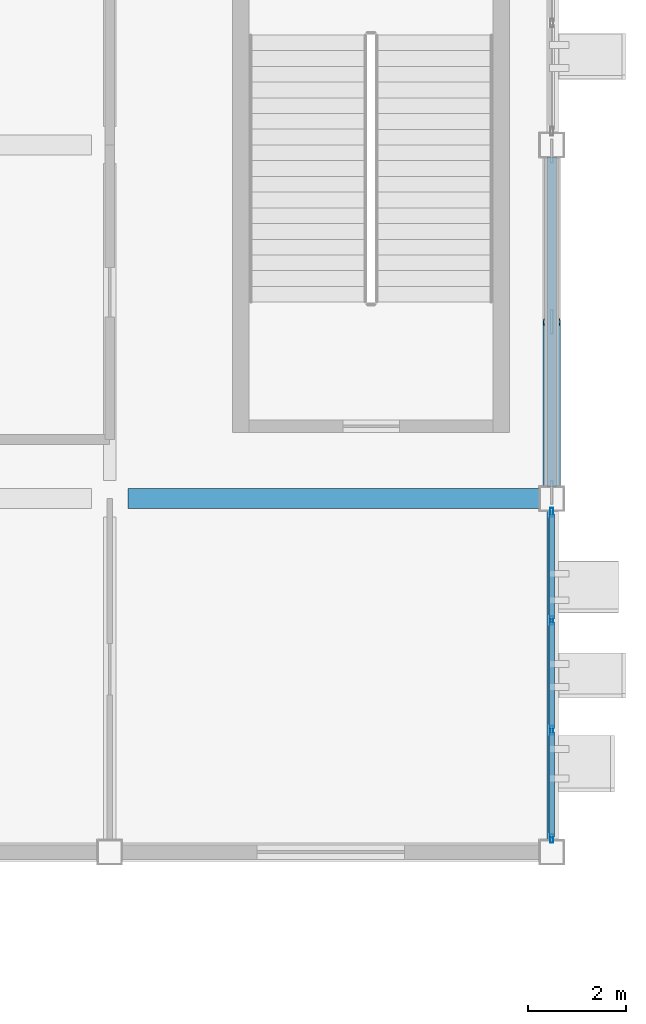
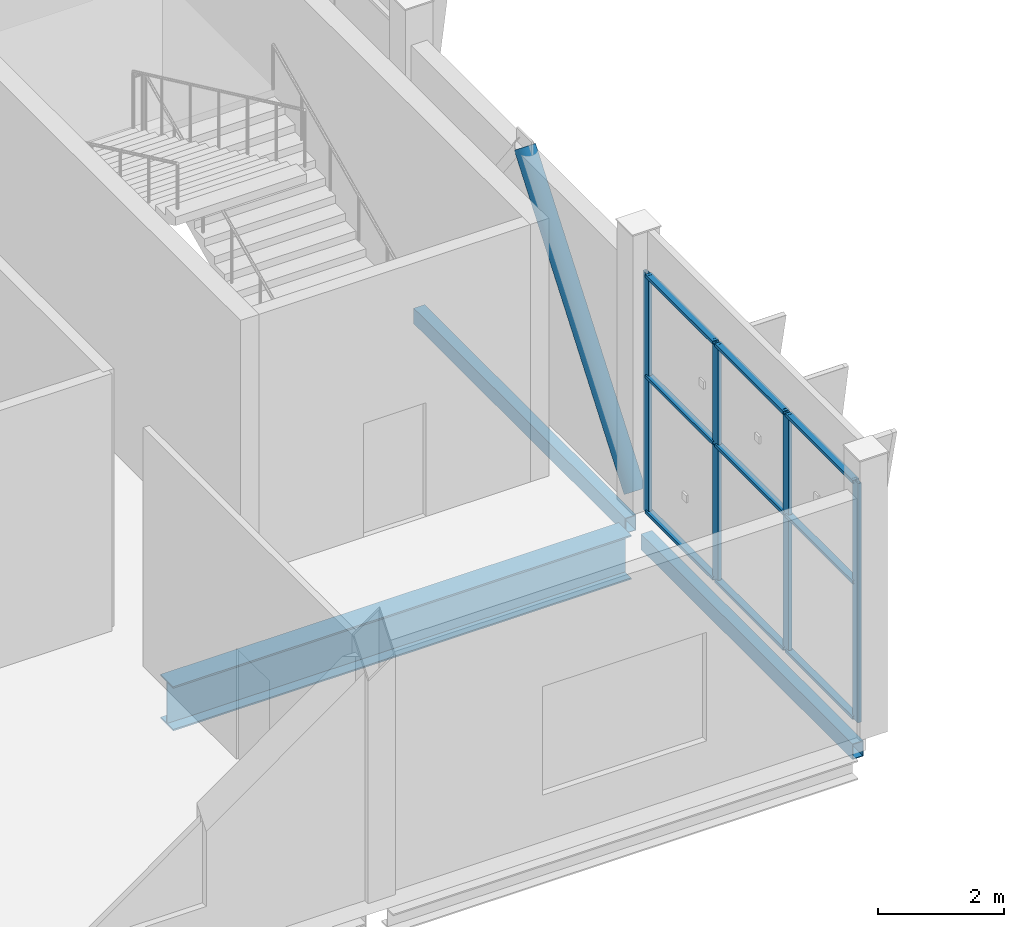
# One storey, part 83 of 189: 14 members, 3 beams, 1 element without a shape of its own.
"""IFC4 building model written with IfcOpenShell, lengths in metres."""

from ifc_helpers import new_model, si_unit, direction, frame, origin, origin_2d, place, context, subcontext, project, spatial, hollow_rectangle, hollow_circle, i_section, extrude, material, layer, layer_set, material_profile, profile_set, type_object, element, aggregate, save


model = new_model("IFC4")

# Units and contexts
model_context = context("Model", 3, precision=1e-05, world=origin(), true_north=direction((0.0, 1.0)))
body_context = subcontext(model_context, "Body", "Model", "MODEL_VIEW")
ifc_project = project(units=[si_unit("LENGTHUNIT", "METRE"), si_unit("AREAUNIT", "SQUARE_METRE"), si_unit("VOLUMEUNIT", "CUBIC_METRE"), si_unit("PLANEANGLEUNIT", "RADIAN"), si_unit("MASSUNIT", "GRAM", prefix="KILO")], contexts=[model_context])

# Site, building, storey
site_placement = place(None, origin())
site = spatial("IfcSite", under=ifc_project, at=site_placement, CompositionType="ELEMENT")
building_placement = place(site_placement, origin())
building = spatial("IfcBuilding", under=site, at=building_placement, Name="Celestram Park Convention Centre", CompositionType="ELEMENT")
storey_placement = place(building_placement, frame((0.0, 0.0, 5.39990234375)))
storey = spatial("IfcBuildingStorey", under=building, at=storey_placement, Name="L01", CompositionType="ELEMENT", Elevation=5.39990234375)

# Curtain wall, members
ifc_material_1 = material(Name="Anodised Aluminium Alloy 6063-T6", Category="aluminium")
ifc_layer = layer(ifc_material_1, 0.179931640625)
ifc_layer_set = layer_set([ifc_layer], Name="Anodised Aluminium Alloy 6063-T6")
curtain_wall_type = type_object("IfcCurtainWallType", Name="ARC-CW-670X462", PredefinedType="NOTDEFINED", material=ifc_layer_set)
curtain_wall_placement = place(storey_placement, origin())
curtain_wall = element("IfcCurtainWall", 1, at=curtain_wall_placement, inside=storey, type_object=curtain_wall_type, Name="Unitised curtain wall CU-L01-080", PredefinedType="NOTDEFINED")
ifc_material_profile_1 = material_profile(ifc_material_1, hollow_rectangle(XDim=0.06494140625, YDim=0.179931640625, WallThickness=0.00390625, at=origin_2d()), Name="ALU65X180X4")
ifc_profile_set_1 = profile_set([ifc_material_profile_1], Name="Anodised Aluminium Alloy 6063-T6")
member_type_1 = type_object("IfcMemberType", Name="ARC-CWM-150", PredefinedType="MULLION", material=ifc_profile_set_1)
member_1_placement = place(storey_placement, frame((216.0, 122.119384765625, 0.0), z_axis=(0.0, 0.0, 1.0), x_axis=(1.0, 0.0, 0.0)))
member_1 = element("IfcMember", 2, at=member_1_placement, type_object=member_type_1, Name="CW-67X46 mullion 1", PredefinedType="MULLION", context=body_context, shape_type="SweptSolid", body=[
    extrude(hollow_rectangle(XDim=0.06494140625, YDim=0.179931640625, WallThickness=0.00390625, at=origin_2d()), origin(), (0.0, 0.0, 1.0), 4.6240234375),
])
member_2_placement = place(storey_placement, frame((216.0, 119.917236328125, 0.0), z_axis=(0.0, 0.0, 1.0), x_axis=(1.0, 0.0, 0.0)))
member_2 = element("IfcMember", 3, at=member_2_placement, type_object=member_type_1, Name="CW-67X46 mullion 2", PredefinedType="MULLION", context=body_context, shape_type="SweptSolid", body=[
    extrude(hollow_rectangle(XDim=0.06494140625, YDim=0.179931640625, WallThickness=0.00390625, at=origin_2d()), origin(), (0.0, 0.0, 1.0), 4.6240234375),
])
member_3_placement = place(storey_placement, frame((216.0, 117.6826171875, 0.0), z_axis=(0.0, 0.0, 1.0), x_axis=(1.0, 0.0, 0.0)))
member_3 = element("IfcMember", 4, at=member_3_placement, type_object=member_type_1, Name="CW-67X46 mullion 3", PredefinedType="MULLION", context=body_context, shape_type="SweptSolid", body=[
    extrude(hollow_rectangle(XDim=0.06494140625, YDim=0.179931640625, WallThickness=0.00390625, at=origin_2d()), origin(), (0.0, 0.0, 1.0), 4.6240234375),
])
member_4_placement = place(storey_placement, frame((216.0, 115.48046875, 0.0), z_axis=(0.0, 0.0, 1.0), x_axis=(1.0, 0.0, 0.0)))
member_4 = element("IfcMember", 5, at=member_4_placement, type_object=member_type_1, Name="CW-67X46 mullion 4", PredefinedType="MULLION", context=body_context, shape_type="SweptSolid", body=[
    extrude(hollow_rectangle(XDim=0.06494140625, YDim=0.179931640625, WallThickness=0.00390625, at=origin_2d()), origin(), (0.0, 0.0, 1.0), 4.6240234375),
])
ifc_material_profile_2 = material_profile(ifc_material_1, hollow_rectangle(XDim=0.1201171875, YDim=0.06005859375, WallThickness=0.0029296875, at=origin_2d()), Name="ALU120X60X3")
ifc_profile_set_2 = profile_set([ifc_material_profile_2], Name="Anodised Aluminium Alloy 6063-T6")
member_type_2 = type_object("IfcMemberType", Name="ARC-CWT-120", PredefinedType="USERDEFINED", material=ifc_profile_set_2)
member_5_placement = place(storey_placement, frame((216.0, 122.0869140625, 0.030029296875), z_axis=(0.0, -1.0, 0.0), x_axis=(1.0, 0.0, 0.0)))
member_5 = element("IfcMember", 6, at=member_5_placement, type_object=member_type_2, Name="CW-67X46 transom 1.1", ObjectType="TRANSOM", PredefinedType="USERDEFINED", context=body_context, shape_type="SweptSolid", body=[
    extrude(hollow_rectangle(XDim=0.1201171875, YDim=0.06005859375, WallThickness=0.0029296875, at=origin_2d()), origin(), (0.0, 0.0, 1.0), 2.136962890625),
])
member_6_placement = place(storey_placement, frame((216.0, 122.0869140625, 2.650146484375), z_axis=(0.0, -1.0, 0.0), x_axis=(1.0, 0.0, 0.0)))
member_6 = element("IfcMember", 7, at=member_6_placement, type_object=member_type_2, Name="CW-67X46 transom 1.2", ObjectType="TRANSOM", PredefinedType="USERDEFINED", context=body_context, shape_type="SweptSolid", body=[
    extrude(hollow_rectangle(XDim=0.1201171875, YDim=0.06005859375, WallThickness=0.0029296875, at=origin_2d()), origin(), (0.0, 0.0, 1.0), 2.136962890625),
])
member_7_placement = place(storey_placement, frame((216.0, 122.0869140625, 4.593994140625), z_axis=(0.0, -1.0, 0.0), x_axis=(1.0, 0.0, 0.0)))
member_7 = element("IfcMember", 8, at=member_7_placement, type_object=member_type_2, Name="CW-67X46 transom 1.3", ObjectType="TRANSOM", PredefinedType="USERDEFINED", context=body_context, shape_type="SweptSolid", body=[
    extrude(hollow_rectangle(XDim=0.1201171875, YDim=0.06005859375, WallThickness=0.0029296875, at=origin_2d()), origin(), (0.0, 0.0, 1.0), 2.136962890625),
])
member_8_placement = place(storey_placement, frame((216.0, 119.884765625, 0.030029296875), z_axis=(0.0, -1.0, 0.0), x_axis=(1.0, 0.0, 0.0)))
member_8 = element("IfcMember", 9, at=member_8_placement, type_object=member_type_2, Name="CW-67X46 transom 2.1", ObjectType="TRANSOM", PredefinedType="USERDEFINED", context=body_context, shape_type="SweptSolid", body=[
    extrude(hollow_rectangle(XDim=0.1201171875, YDim=0.06005859375, WallThickness=0.0029296875, at=origin_2d()), origin(), (0.0, 0.0, 1.0), 2.169677734375),
])
member_9_placement = place(storey_placement, frame((216.0, 119.884765625, 2.650146484375), z_axis=(0.0, -1.0, 0.0), x_axis=(1.0, 0.0, 0.0)))
member_9 = element("IfcMember", 10, at=member_9_placement, type_object=member_type_2, Name="CW-67X46 transom 2.2", ObjectType="TRANSOM", PredefinedType="USERDEFINED", context=body_context, shape_type="SweptSolid", body=[
    extrude(hollow_rectangle(XDim=0.1201171875, YDim=0.06005859375, WallThickness=0.0029296875, at=origin_2d()), origin(), (0.0, 0.0, 1.0), 2.169677734375),
])
member_10_placement = place(storey_placement, frame((216.0, 119.884765625, 4.593994140625), z_axis=(0.0, -1.0, 0.0), x_axis=(1.0, 0.0, 0.0)))
member_10 = element("IfcMember", 11, at=member_10_placement, type_object=member_type_2, Name="CW-67X46 transom 2.3", ObjectType="TRANSOM", PredefinedType="USERDEFINED", context=body_context, shape_type="SweptSolid", body=[
    extrude(hollow_rectangle(XDim=0.1201171875, YDim=0.06005859375, WallThickness=0.0029296875, at=origin_2d()), origin(), (0.0, 0.0, 1.0), 2.169677734375),
])
member_11_placement = place(storey_placement, frame((216.0, 117.650146484375, 0.030029296875), z_axis=(0.0, -1.0, 0.0), x_axis=(1.0, 0.0, 0.0)))
member_11 = element("IfcMember", 12, at=member_11_placement, type_object=member_type_2, Name="CW-67X46 transom 3.1", ObjectType="TRANSOM", PredefinedType="USERDEFINED", context=body_context, shape_type="SweptSolid", body=[
    extrude(hollow_rectangle(XDim=0.1201171875, YDim=0.06005859375, WallThickness=0.0029296875, at=origin_2d()), origin(), (0.0, 0.0, 1.0), 2.13720703125),
])
member_12_placement = place(storey_placement, frame((216.0, 117.650146484375, 2.650146484375), z_axis=(0.0, -1.0, 0.0), x_axis=(1.0, 0.0, 0.0)))
member_12 = element("IfcMember", 13, at=member_12_placement, type_object=member_type_2, Name="CW-67X46 transom 3.2", ObjectType="TRANSOM", PredefinedType="USERDEFINED", context=body_context, shape_type="SweptSolid", body=[
    extrude(hollow_rectangle(XDim=0.1201171875, YDim=0.06005859375, WallThickness=0.0029296875, at=origin_2d()), origin(), (0.0, 0.0, 1.0), 2.13720703125),
])
member_13_placement = place(storey_placement, frame((216.0, 117.650146484375, 4.593994140625), z_axis=(0.0, -1.0, 0.0), x_axis=(1.0, 0.0, 0.0)))
member_13 = element("IfcMember", 14, at=member_13_placement, type_object=member_type_2, Name="CW-67X46 transom 3.3", ObjectType="TRANSOM", PredefinedType="USERDEFINED", context=body_context, shape_type="SweptSolid", body=[
    extrude(hollow_rectangle(XDim=0.1201171875, YDim=0.06005859375, WallThickness=0.0029296875, at=origin_2d()), origin(), (0.0, 0.0, 1.0), 2.13720703125),
])
aggregate(curtain_wall, [member_1, member_2, member_3, member_4, member_5, member_6, member_7, member_8, member_9, member_10, member_11, member_12, member_13])

# Beam
ifc_material_2 = material(Name="Steel ASTM A992 Grade 50", Category="steel")
ifc_material_profile_3 = material_profile(ifc_material_2, i_section(OverallWidth=0.40087890625, OverallDepth=0.85595703125, WebThickness=0.018310546875, FlangeThickness=0.029296875, at=origin_2d()), Name="W33X201")
ifc_profile_set_3 = profile_set([ifc_material_profile_3], Name="Steel ASTM A992 Grade 50")
beam_type_1 = type_object("IfcBeamType", Name="STR-BM-W33X201", PredefinedType="BEAM", material=ifc_profile_set_3)
beam_placement = place(storey_placement, frame((207.373046875, 122.39990234375, -0.847900390625), z_axis=(1.0, 0.0, 0.0), x_axis=(0.0, 1.0, 0.0)))
element("IfcBeam", 15, at=beam_placement, inside=storey, type_object=beam_type_1, Name="Primary X-girder BG-L01-0523", PredefinedType="BEAM", context=body_context, shape_type="SweptSolid", body=[
    extrude(i_section(OverallWidth=0.40087890625, OverallDepth=0.85595703125, WebThickness=0.018310546875, FlangeThickness=0.029296875, at=origin_2d()), origin(), (0.0, 0.0, 1.0), 8.37890625),
])

# Member
ifc_material_3 = material(Name="Steel ASTM A500 Grade C", Category="steel")
ifc_material_profile_4 = material_profile(ifc_material_3, hollow_circle(Radius=0.177978515625, WallThickness=0.011962890625, at=origin_2d()), Name="CHS356X12")
ifc_profile_set_4 = profile_set([ifc_material_profile_4], Name="Steel ASTM A500 Grade C")
member_type_3 = type_object("IfcMemberType", Name="STR-BRC-CHS356", PredefinedType="BRACE", material=ifc_profile_set_4)
member_14_placement = place(storey_placement, frame((216.0, 122.52001953125, 0.150146484375), z_axis=(0.0, 0.607508638933, 0.794313070282), x_axis=(-1.0, 0.0, 0.0)))
element("IfcMember", 16, at=member_14_placement, inside=storey, type_object=member_type_3, Name="Chevron braced-frame diagonal BF-L01-011", PredefinedType="BRACE", context=body_context, shape_type="SweptSolid", body=[
    extrude(hollow_circle(Radius=0.177978515625, WallThickness=0.011962890625, at=origin_2d()), origin(), (0.0, 0.0, 1.0), 5.728271484375),
])

# Beams
ifc_material_profile_5 = material_profile(ifc_material_3, hollow_rectangle(XDim=0.199951171875, YDim=0.300048828125, WallThickness=0.011962890625, at=origin_2d()), Name="HSS300X200X12")
ifc_profile_set_5 = profile_set([ifc_material_profile_5], Name="Steel ASTM A500 Grade C")
beam_type_2 = type_object("IfcBeamType", Name="STR-SPN-HSS300X200", PredefinedType="SPANDREL", material=ifc_profile_set_5)
for number, where, z_axis, x_axis, name in (
    (17, (216.0, 115.447998046875, -0.56982421875), (0.0, 1.0, 0.0), (-1.0, 0.0, 0.0), "Primary Y-girder BG-L01-0538"),
    (18, (216.0, 122.64794921875, -0.56982421875), (0.0, 1.0, 0.0), (-1.0, 0.0, 0.0), "Primary Y-girder BG-L01-0539"),
):
    element("IfcBeam", number, at=place(storey_placement, frame(where, z_axis=z_axis, x_axis=x_axis)), inside=storey, type_object=beam_type_2, Name=name, PredefinedType="SPANDREL", context=body_context, shape_type="SweptSolid", body=[
        extrude(hollow_rectangle(XDim=0.199951171875, YDim=0.300048828125, WallThickness=0.011962890625, at=origin_2d()), origin(), (0.0, 0.0, 1.0), 6.7041015625),
    ])

save(model, "model.ifc")
